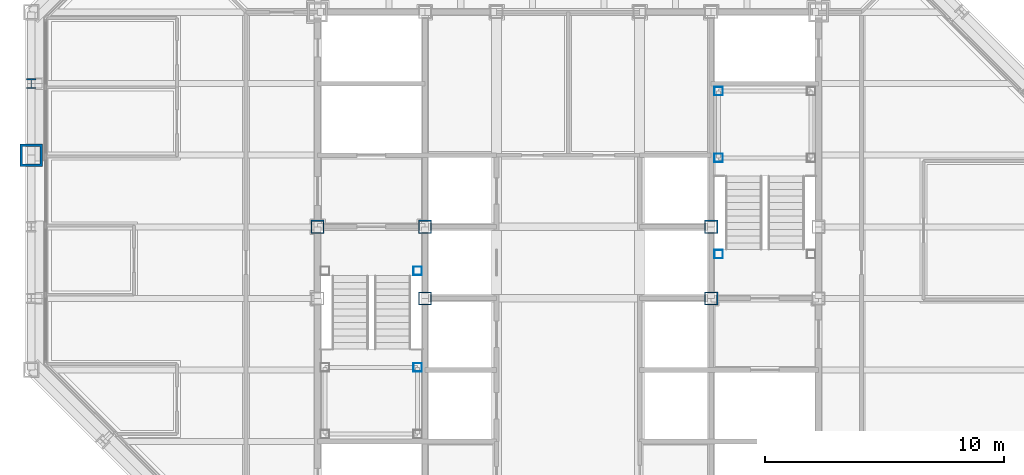
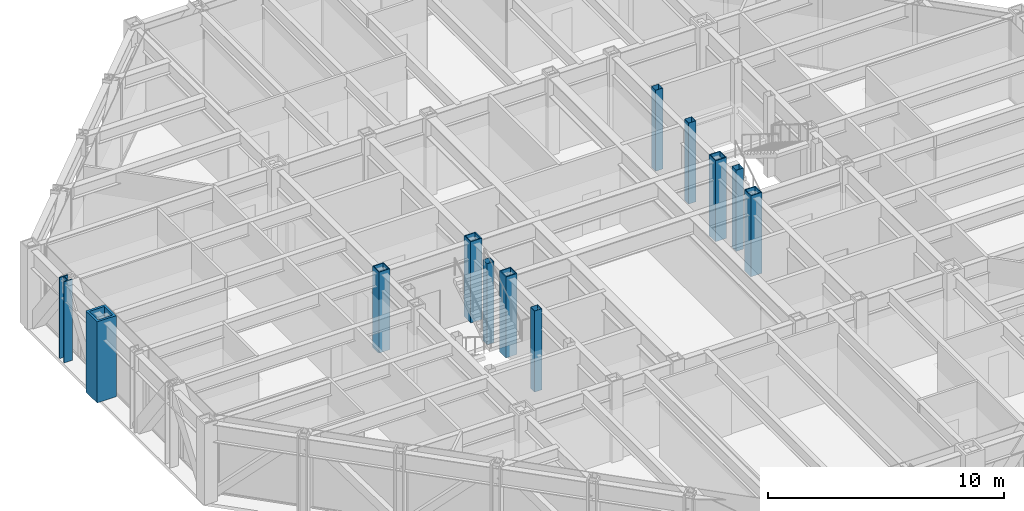
# One storey, part 2 of 16: 12 columns.
"""IFC4 building model written with IfcOpenShell, lengths in metres."""

import ifcopenshell
import ifcopenshell.guid

model = None  # the IFC model being written
_history = None  # IfcOwnerHistory: only IFC2X3 demands one
_inside = {}  # id of a spatial element -> (the spatial element, [elements in it])
_under = {}  # id of a project, library or spatial element -> (it, [spatial elements below it])
_declared = {}  # id of a project -> (the project, [libraries it declares])
_typed = {}  # id of a type object -> (the type object, [elements of that type])
_made_of = {}  # id of a material, layer set ... -> (it, [elements and type objects made of it])


def new_model(schema):
    """Start an empty IFC model of exactly this schema.

    Asked for "IFC4X3", IfcOpenShell would pick the latest addendum, in which some entities
    have other attributes; the version numbers below select the first issue.
    IFC2X3 requires an IfcOwnerHistory on every rooted entity: one is made here for all.
    """
    global model, _history
    if schema == "IFC4X3":
        model = ifcopenshell.file(schema_version=(4, 3, 0, 0))
    else:
        model = ifcopenshell.file(schema=schema)
    _inside.clear()
    _under.clear()
    _declared.clear()
    _typed.clear()
    _made_of.clear()
    _history = None
    if model.schema == "IFC2X3":
        org = make("IfcOrganization", Name="unknown")
        user = make(
            "IfcPersonAndOrganization",
            ThePerson=make("IfcPerson", FamilyName="unknown"),
            TheOrganization=org,
        )
        app = make(
            "IfcApplication",
            ApplicationDeveloper=org,
            Version="unknown",
            ApplicationFullName="unknown",
            ApplicationIdentifier="unknown",
        )
        _history = make(
            "IfcOwnerHistory",
            OwningUser=user,
            OwningApplication=app,
            ChangeAction="ADDED",
            CreationDate=0,
        )
    return model


def make(cls, **values):
    """One entity of the class cls with the attributes given. An attribute that is None is left unset."""
    return model.create_entity(
        cls, **{name: value for name, value in values.items() if value is not None}
    )


def rooted(cls, **values):
    """An entity with a GlobalId (a new one), such as an element, a storey or a relation."""
    return make(cls, GlobalId=ifcopenshell.guid.new(), OwnerHistory=_history, **values)


def si_unit(unit_type, name, prefix=None):
    """IfcSIUnit, for example si_unit("LENGTHUNIT", "METRE", prefix="MILLI")."""
    return make("IfcSIUnit", UnitType=unit_type, Prefix=prefix, Name=name)


def assignment(units):
    """IfcUnitAssignment: the units of a project."""
    return None if units is None else make("IfcUnitAssignment", Units=units)


def point(xyz):
    """IfcCartesianPoint."""
    return None if xyz is None else make("IfcCartesianPoint", Coordinates=xyz)


def direction(xyz):
    """IfcDirection."""
    return None if xyz is None else make("IfcDirection", DirectionRatios=xyz)


def frame(location, z_axis=None, x_axis=None):
    """IfcAxis2Placement3D, a coordinate frame: its origin and axes. An axis left out is left unset."""
    return make(
        "IfcAxis2Placement3D",
        Location=point(location),
        Axis=direction(z_axis),
        RefDirection=direction(x_axis),
    )


def frame_2d(location, x_axis=None):
    """IfcAxis2Placement2D, a coordinate frame in the plane: its origin and x axis."""
    return make(
        "IfcAxis2Placement2D", Location=point(location), RefDirection=direction(x_axis)
    )


def origin():
    """The frame at (0, 0, 0) with its axes left unset."""
    return frame((0.0, 0.0, 0.0))


def origin_2d():
    """The frame at (0, 0) in the plane with its x axis left unset."""
    return frame_2d((0.0, 0.0))


def place(relative_to, where):
    """IfcLocalPlacement: puts the frame where relative to a parent placement (None: the world)."""
    return make(
        "IfcLocalPlacement", PlacementRelTo=relative_to, RelativePlacement=where
    )


def context(
    kind, dimensions, precision=None, world=None, true_north=None, identifier=None
):
    """IfcGeometricRepresentationContext, for example the 3D "Model" context."""
    return make(
        "IfcGeometricRepresentationContext",
        ContextIdentifier=identifier,
        ContextType=kind,
        CoordinateSpaceDimension=dimensions,
        Precision=precision,
        WorldCoordinateSystem=world,
        TrueNorth=true_north,
    )


def subcontext(parent, identifier, kind, view, scale=None):
    """IfcGeometricRepresentationSubContext, for example "Body" below "Model"."""
    return make(
        "IfcGeometricRepresentationSubContext",
        ContextIdentifier=identifier,
        ContextType=kind,
        ParentContext=parent,
        TargetScale=scale,
        TargetView=view,
    )


def project(units=None, contexts=None):
    """IfcProject with its units and contexts."""
    return rooted(
        "IfcProject",
        Name="project",
        RepresentationContexts=contexts,
        UnitsInContext=assignment(units),
    )


def spatial(cls, under=None, at=None, **own):
    """A site, building, storey or space (cls), placed at a placement, below another one or the project."""
    s = rooted(cls, ObjectPlacement=at, **own)
    if under is not None:
        _under.setdefault(under.id(), (under, []))[1].append(s)
    return s


def profile(cls, at=None, kind="AREA", **sizes):
    """A parametric profile (cls). Its sizes go by their IFC names, for example OverallWidth=200.0."""
    return make(cls, ProfileType=kind, Position=at, **sizes)


def hollow_rectangle(**sizes):
    """IfcRectangleHollowProfileDef."""
    return profile("IfcRectangleHollowProfileDef", **sizes)


def i_section(**sizes):
    """IfcIShapeProfileDef."""
    return profile("IfcIShapeProfileDef", **sizes)


def extrude(swept, where, along, depth):
    """IfcExtrudedAreaSolid: the profile swept, set in the frame where, extruded along a direction by depth."""
    return make(
        "IfcExtrudedAreaSolid",
        SweptArea=swept,
        Position=where,
        ExtrudedDirection=direction(along),
        Depth=depth,
    )


def shape(context_of_items, identifier, shape_type, items):
    """IfcShapeRepresentation: the items that make up one representation, for example the "Body"."""
    return make(
        "IfcShapeRepresentation",
        ContextOfItems=context_of_items,
        RepresentationIdentifier=identifier,
        RepresentationType=shape_type,
        Items=items,
    )


def material(Name=None, Category=None):
    """IfcMaterial."""
    return make("IfcMaterial", Name=Name, Category=Category)


def material_profile(
    of_material, cross_section, Name=None, Category=None, Priority=None
):
    """IfcMaterialProfile: a cross section and its material."""
    return make(
        "IfcMaterialProfile",
        Name=Name,
        Material=of_material,
        Profile=cross_section,
        Priority=Priority,
        Category=Category,
    )


def profile_set(profiles, Name=None, composite=None):
    """IfcMaterialProfileSet."""
    return make(
        "IfcMaterialProfileSet",
        Name=Name,
        MaterialProfiles=profiles,
        CompositeProfile=composite,
    )


def made_of(thing, what):
    """Note that an element or type object is made of a material, layer set ...; save() writes the relation."""
    if what is not None:
        _made_of.setdefault(what.id(), (what, []))[1].append(thing)
    return thing


def type_object(cls, material=None, **own):
    """A type object (cls), such as IfcWallType, which elements share."""
    return made_of(rooted(cls, **own), material)


def element(
    cls,
    number,
    at=None,
    inside=None,
    cuts=None,
    type_object=None,
    material=None,
    context=None,
    identifier="Body",
    shape_type=None,
    held_by="IfcProductDefinitionShape",
    body=None,
    shapes=None,
    **own,
):
    """One element of the class cls, such as IfcWall. Its Tag is "e" and its number.

    at: its placement. inside: the storey or other place that contains it. cuts: it is an
    opening in that element (IfcRelVoidsElement). A single representation is given by context,
    identifier, shape_type and body (its items); several are given by shapes. held_by: the class
    of the entity that holds the representations. save() writes the other relations.
    """
    e = rooted(cls, Tag="e%d" % number, ObjectPlacement=at, **own)
    if body is not None:
        shapes = [shape(context, identifier, shape_type, body)]
    if shapes is not None:
        e.Representation = make(held_by, Representations=shapes)
    if inside is not None:
        _inside.setdefault(inside.id(), (inside, []))[1].append(e)
    if cuts is not None:
        rooted(
            "IfcRelVoidsElement", RelatingBuildingElement=cuts, RelatedOpeningElement=e
        )
    if type_object is not None:
        _typed.setdefault(type_object.id(), (type_object, []))[1].append(e)
    return made_of(e, material)


def aggregate(whole, parts):
    """IfcRelAggregates: a whole, such as a stair, and the parts it consists of."""
    return rooted("IfcRelAggregates", RelatingObject=whole, RelatedObjects=parts)


def save(model, path):
    """Write the relations noted so far, then the file.

    IfcRelAggregates (storeys below a building ...), IfcRelContainedInSpatialStructure (elements
    in a storey), IfcRelDefinesByType, IfcRelAssociatesMaterial and IfcRelDeclares: one each for
    every whole, place, type object, material and project.
    """
    for whole, parts in _under.values():
        aggregate(whole, parts)
    for where, things in _inside.values():
        rooted(
            "IfcRelContainedInSpatialStructure",
            RelatedElements=things,
            RelatingStructure=where,
        )
    for kind, things in _typed.values():
        rooted("IfcRelDefinesByType", RelatedObjects=things, RelatingType=kind)
    for what, things in _made_of.values():
        rooted("IfcRelAssociatesMaterial", RelatedObjects=things, RelatingMaterial=what)
    for by, libraries in _declared.values():
        rooted("IfcRelDeclares", RelatingContext=by, RelatedDefinitions=libraries)
    model.write(path)


model = new_model("IFC4")

# Units and contexts
model_context = context("Model", 3, precision=1e-05, world=origin(), true_north=direction((0.0, 1.0)))
body_context = subcontext(model_context, "Body", "Model", "MODEL_VIEW")
ifc_project = project(units=[si_unit("LENGTHUNIT", "METRE"), si_unit("AREAUNIT", "SQUARE_METRE"), si_unit("VOLUMEUNIT", "CUBIC_METRE"), si_unit("PLANEANGLEUNIT", "RADIAN"), si_unit("MASSUNIT", "GRAM", prefix="KILO")], contexts=[model_context])

# Site, building, storey
site_placement = place(None, origin())
site = spatial("IfcSite", under=ifc_project, at=site_placement, CompositionType="ELEMENT")
building_placement = place(site_placement, origin())
building = spatial("IfcBuilding", under=site, at=building_placement, Name="Chuquiago Exchange Tower", CompositionType="ELEMENT")
storey_placement = place(building_placement, frame((0.0, 0.0, 239.10009765625)))
storey = spatial("IfcBuildingStorey", under=building, at=storey_placement, Name="L53", CompositionType="ELEMENT", Elevation=239.10009765625)

# Columns
ifc_material_1 = material(Name="Steel ASTM A992", Category="steel")
ifc_material_profile_1 = material_profile(ifc_material_1, i_section(OverallWidth=0.408935546875, OverallDepth=0.424072265625, WebThickness=0.03271484375, FlangeThickness=0.052490234375, at=origin_2d()), Name="W14X283")
ifc_profile_set_1 = profile_set([ifc_material_profile_1], Name="Steel ASTM A992")
column_type_1 = type_object("IfcColumnType", Name="C8 W14X283", PredefinedType="COLUMN", material=ifc_profile_set_1)
column_1_placement = place(storey_placement, frame((0.0, 30.0, 0.0), z_axis=(0.0, 0.0, 1.0), x_axis=(-1.0, 0.0, 0.0)))
element("IfcColumn", 1, at=column_1_placement, inside=storey, type_object=column_type_1, Name="COL-L53-0_30", PredefinedType="COLUMN", context=body_context, shape_type="SweptSolid", body=[
    extrude(i_section(OverallWidth=0.408935546875, OverallDepth=0.424072265625, WebThickness=0.03271484375, FlangeThickness=0.052490234375, at=origin_2d()), origin(), (0.0, 0.0, 1.0), 4.199951171875),
])
ifc_material_2 = material(Name="Steel ASTM A572 Grade 50", Category="steel")
ifc_material_profile_2 = material_profile(ifc_material_2, hollow_rectangle(XDim=0.550048828125, YDim=0.550048828125, WallThickness=0.044921875, at=origin_2d()), Name="BOX550X550X45")
ifc_profile_set_2 = profile_set([ifc_material_profile_2], Name="Steel ASTM A572 Grade 50")
column_type_2 = type_object("IfcColumnType", Name="CC8 BOX550X550X45", PredefinedType="COLUMN", material=ifc_profile_set_2)
for number, where, z_axis, x_axis, name in (
    (2, (12.0, 24.0, 0.0), (0.0, 0.0, 1.0), (1.0, 0.0, 0.0), "CCOL-L53-12_24"),
    (3, (16.5, 21.0, 0.0), (0.0, 0.0, 1.0), (1.0, 0.0, 0.0), "CCOL-L53-16.5_21"),
    (4, (16.5, 24.0, 0.0), (0.0, 0.0, 1.0), (1.0, 0.0, 0.0), "CCOL-L53-16.5_24"),
    (5, (28.5, 21.0, 0.0), (0.0, 0.0, 1.0), (1.0, 0.0, 0.0), "CCOL-L53-28.5_21"),
    (6, (28.5, 24.0, 0.0), (0.0, 0.0, 1.0), (1.0, 0.0, 0.0), "CCOL-L53-28.5_24"),
):
    element("IfcColumn", number, at=place(storey_placement, frame(where, z_axis=z_axis, x_axis=x_axis)), inside=storey, type_object=column_type_2, Name=name, PredefinedType="COLUMN", context=body_context, shape_type="SweptSolid", body=[
        extrude(hollow_rectangle(XDim=0.550048828125, YDim=0.550048828125, WallThickness=0.044921875, at=origin_2d()), origin(), (0.0, 0.0, 1.0), 4.199951171875),
    ])
ifc_material_3 = material(Name="Steel ASTM A572 Grade 42", Category="steel")
ifc_material_profile_3 = material_profile(ifc_material_3, hollow_rectangle(XDim=0.949951171875, YDim=0.949951171875, WallThickness=0.110107421875, at=origin_2d()), Name="BOX950X950X110")
ifc_profile_set_3 = profile_set([ifc_material_profile_3], Name="Steel ASTM A572 Grade 42")
column_type_3 = type_object("IfcColumnType", Name="CT1 BOX950X950X110", PredefinedType="COLUMN", material=ifc_profile_set_3)
column_2_placement = place(storey_placement, frame((0.0, 27.0, 0.0), z_axis=(0.0, 0.0, 1.0), x_axis=(-1.0, 0.0, 0.0)))
element("IfcColumn", 7, at=column_2_placement, inside=storey, type_object=column_type_3, Name="COL-L53-0_27", PredefinedType="COLUMN", context=body_context, shape_type="SweptSolid", body=[
    extrude(hollow_rectangle(XDim=0.949951171875, YDim=0.949951171875, WallThickness=0.110107421875, at=origin_2d()), origin(), (0.0, 0.0, 1.0), 4.199951171875),
])
ifc_material_4 = material(Name="Steel ASTM A500 Grade C", Category="steel")
ifc_material_profile_4 = material_profile(ifc_material_4, hollow_rectangle(XDim=0.355712890625, YDim=0.355712890625, WallThickness=0.0087890625, at=origin_2d()), Name="HSS14X14X3/8")
ifc_profile_set_4 = profile_set([ifc_material_profile_4], Name="Steel ASTM A500 Grade C")
column_type_4 = type_object("IfcColumnType", Name="PT1 HSS14X14X3/8", PredefinedType="COLUMN", material=ifc_profile_set_4)
for number, where, z_axis, x_axis, name in (
    (8, (16.18994140625, 18.110107421875, 0.0), (0.0, 0.0, 1.0), (1.0, 0.0, 0.0), "Stair ST1 L53 landing post"),
    (9, (16.18994140625, 22.14990234375, 0.0), (0.0, 0.0, 1.0), (1.0, 0.0, 0.0), "Stair ST1 L53 landing post"),
    (10, (28.81005859375, 29.68994140625, 0.0), (0.0, 0.0, 1.0), (1.0, 0.0, 0.0), "Stair ST2 L53 landing post"),
    (11, (28.81005859375, 26.889892578125, 0.0), (0.0, 0.0, 1.0), (1.0, 0.0, 0.0), "Stair ST2 L53 landing post"),
    (12, (28.81005859375, 22.85009765625, 0.0), (0.0, 0.0, 1.0), (1.0, 0.0, 0.0), "Stair ST2 L53 landing post"),
):
    element("IfcColumn", number, at=place(storey_placement, frame(where, z_axis=z_axis, x_axis=x_axis)), inside=storey, type_object=column_type_4, Name=name, PredefinedType="COLUMN", context=body_context, shape_type="SweptSolid", body=[
        extrude(hollow_rectangle(XDim=0.355712890625, YDim=0.355712890625, WallThickness=0.0087890625, at=origin_2d()), origin(), (0.0, 0.0, 1.0), 4.199951171875),
    ])

save(model, "model.ifc")
